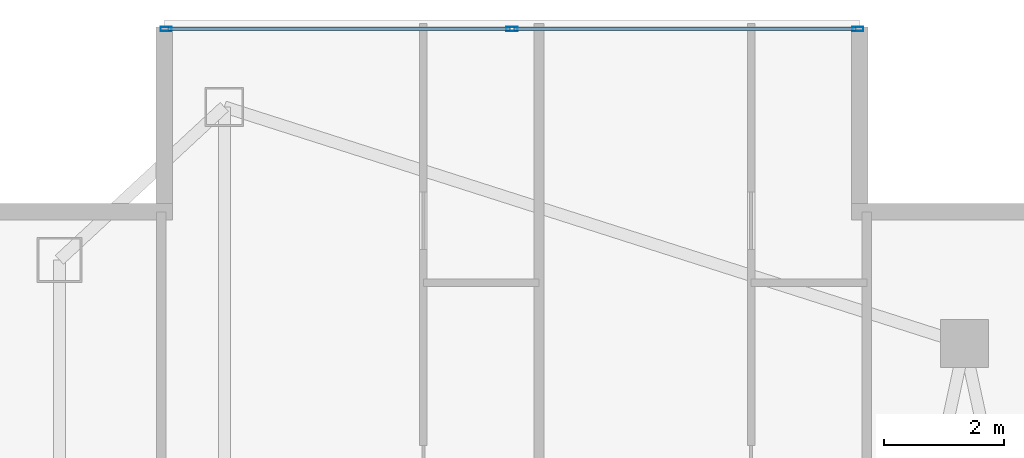
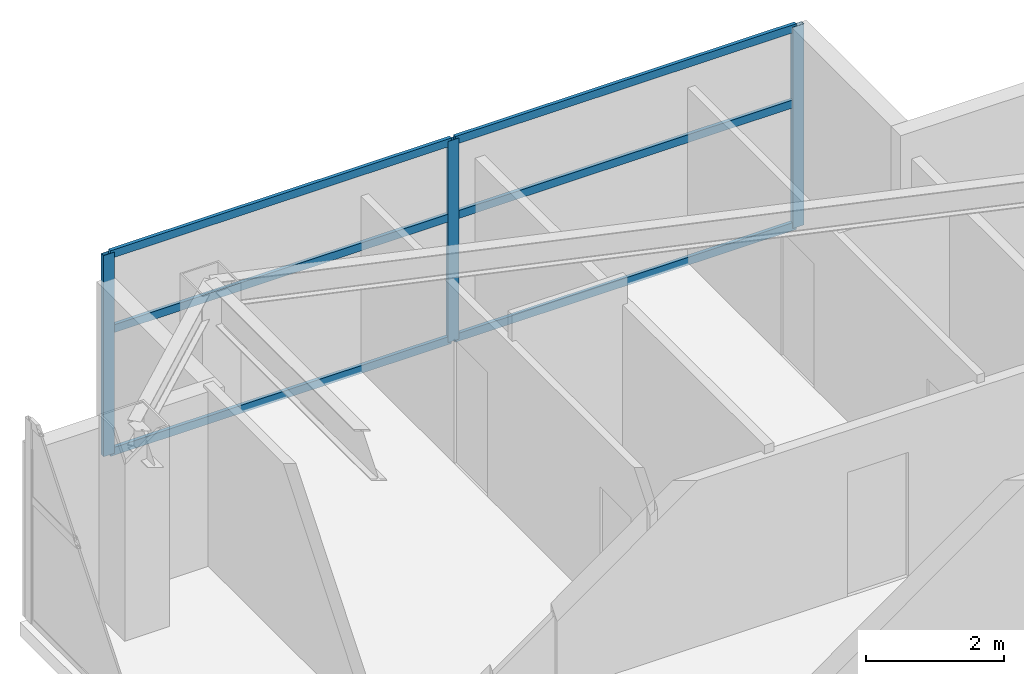
# One storey, part 19 of 27: 9 members, 1 element without a shape of its own.
"""IFC4 building model written with IfcOpenShell, lengths in metres."""

from ifc_helpers import new_model, si_unit, direction, frame, origin, origin_2d, place, context, subcontext, project, spatial, hollow_rectangle, extrude, material, layer, layer_set, material_profile, profile_set, type_object, element, aggregate, save


model = new_model("IFC4")

# Units and contexts
model_context = context("Model", 3, precision=1e-05, world=origin(), true_north=direction((0.0, 1.0)))
body_context = subcontext(model_context, "Body", "Model", "MODEL_VIEW")
ifc_project = project(units=[si_unit("LENGTHUNIT", "METRE"), si_unit("AREAUNIT", "SQUARE_METRE"), si_unit("VOLUMEUNIT", "CUBIC_METRE"), si_unit("PLANEANGLEUNIT", "RADIAN"), si_unit("MASSUNIT", "GRAM", prefix="KILO")], contexts=[model_context])

# Site, building, storey
site_placement = place(None, origin())
site = spatial("IfcSite", under=ifc_project, at=site_placement, CompositionType="ELEMENT")
building_placement = place(site_placement, origin())
building = spatial("IfcBuilding", under=site, at=building_placement, Name="Calvorn Quay Hotel", CompositionType="ELEMENT")
storey_placement = place(building_placement, frame((0.0, 0.0, 223.10009765625)))
storey = spatial("IfcBuildingStorey", under=building, at=storey_placement, Name="L55", CompositionType="ELEMENT", Elevation=223.10009765625)

# Curtain wall, members
ifc_material_1 = material(Name="Champagne Bronze Anodised Aluminium and Low-E Glass", Category="aluminium")
ifc_layer = layer(ifc_material_1, 0.219970703125)
ifc_layer_set = layer_set([ifc_layer], Name="CW-SYS-Z3")
curtain_wall_type = type_object("IfcCurtainWallType", Name="CW-SYS-Z3", PredefinedType="NOTDEFINED", material=ifc_layer_set)
curtain_wall_placement = place(storey_placement, origin())
curtain_wall = element("IfcCurtainWall", 1, at=curtain_wall_placement, inside=storey, type_object=curtain_wall_type, Name="Inner Court Curtain Wall L55-N1", PredefinedType="NOTDEFINED")
ifc_material_2 = material(Name="Champagne Bronze Anodised Aluminium 6063-T6", Category="aluminium")
ifc_material_profile_1 = material_profile(ifc_material_2, hollow_rectangle(XDim=0.068115234375, YDim=0.18505859375, WallThickness=0.00390625, at=origin_2d()), Name="ALU-M185x68x4")
ifc_profile_set_1 = profile_set([ifc_material_profile_1], Name="Champagne Bronze Anodised Aluminium 6063-T6")
member_type_1 = type_object("IfcMemberType", Name="CW-SYS-Z3-MUL", PredefinedType="MULLION", material=ifc_profile_set_1)
member_1_placement = place(storey_placement, frame((14.77001953125, 50.85009765625, 0.0), z_axis=(0.0, 0.0, 1.0), x_axis=(0.0, -1.0, 0.0)))
member_1 = element("IfcMember", 2, at=member_1_placement, type_object=member_type_1, Name="CW-L55-N1 mullion 1", PredefinedType="MULLION", context=body_context, shape_type="SweptSolid", body=[
    extrude(hollow_rectangle(XDim=0.068115234375, YDim=0.18505859375, WallThickness=0.00390625, at=origin_2d()), origin(), (0.0, 0.0, 1.0), 3.559814453125),
])
member_2_placement = place(storey_placement, frame((9.0, 50.85009765625, 0.0), z_axis=(0.0, 0.0, 1.0), x_axis=(0.0, -1.0, 0.0)))
member_2 = element("IfcMember", 3, at=member_2_placement, type_object=member_type_1, Name="CW-L55-N1 mullion 2", PredefinedType="MULLION", context=body_context, shape_type="SweptSolid", body=[
    extrude(hollow_rectangle(XDim=0.068115234375, YDim=0.18505859375, WallThickness=0.00390625, at=origin_2d()), origin(), (0.0, 0.0, 1.0), 3.559814453125),
])
member_3_placement = place(storey_placement, frame((3.22998046875, 50.85009765625, 0.0), z_axis=(0.0, 0.0, 1.0), x_axis=(0.0, -1.0, 0.0)))
member_3 = element("IfcMember", 4, at=member_3_placement, type_object=member_type_1, Name="CW-L55-N1 mullion 3", PredefinedType="MULLION", context=body_context, shape_type="SweptSolid", body=[
    extrude(hollow_rectangle(XDim=0.068115234375, YDim=0.18505859375, WallThickness=0.00390625, at=origin_2d()), origin(), (0.0, 0.0, 1.0), 3.559814453125),
])
ifc_material_3 = material(Name="Champagne Bronze Anodised Aluminium 6063-T6", Category="aluminium")
ifc_material_profile_2 = material_profile(ifc_material_3, hollow_rectangle(XDim=0.05810546875, YDim=0.139892578125, WallThickness=0.003173828125, at=origin_2d()), Name="ALU-T140x58x3.2")
ifc_profile_set_2 = profile_set([ifc_material_profile_2], Name="Champagne Bronze Anodised Aluminium 6063-T6")
member_type_2 = type_object("IfcMemberType", Name="CW-SYS-Z3-TRN", PredefinedType="USERDEFINED", material=ifc_profile_set_2)
member_4_placement = place(storey_placement, frame((14.739990234375, 50.85009765625, 0.02978515625), z_axis=(-1.0, 0.0, 0.0), x_axis=(0.0, -1.0, 0.0)))
member_4 = element("IfcMember", 5, at=member_4_placement, type_object=member_type_2, Name="CW-L55-N1 transom 1.1", ObjectType="TRANSOM", PredefinedType="USERDEFINED", context=body_context, shape_type="SweptSolid", body=[
    extrude(hollow_rectangle(XDim=0.05810546875, YDim=0.139892578125, WallThickness=0.003173828125, at=origin_2d()), origin(), (0.0, 0.0, 1.0), 5.7099609375),
])
member_5_placement = place(storey_placement, frame((14.739990234375, 50.85009765625, 2.199951171875), z_axis=(-1.0, 0.0, 0.0), x_axis=(0.0, -1.0, 0.0)))
member_5 = element("IfcMember", 6, at=member_5_placement, type_object=member_type_2, Name="CW-L55-N1 transom 1.2", ObjectType="TRANSOM", PredefinedType="USERDEFINED", context=body_context, shape_type="SweptSolid", body=[
    extrude(hollow_rectangle(XDim=0.05810546875, YDim=0.139892578125, WallThickness=0.003173828125, at=origin_2d()), origin(), (0.0, 0.0, 1.0), 5.7099609375),
])
member_6_placement = place(storey_placement, frame((14.739990234375, 50.85009765625, 3.52978515625), z_axis=(-1.0, 0.0, 0.0), x_axis=(0.0, -1.0, 0.0)))
member_6 = element("IfcMember", 7, at=member_6_placement, type_object=member_type_2, Name="CW-L55-N1 transom 1.3", ObjectType="TRANSOM", PredefinedType="USERDEFINED", context=body_context, shape_type="SweptSolid", body=[
    extrude(hollow_rectangle(XDim=0.05810546875, YDim=0.139892578125, WallThickness=0.003173828125, at=origin_2d()), origin(), (0.0, 0.0, 1.0), 5.7099609375),
])
member_7_placement = place(storey_placement, frame((8.969970703125, 50.85009765625, 0.02978515625), z_axis=(-1.0, 0.0, 0.0), x_axis=(0.0, -1.0, 0.0)))
member_7 = element("IfcMember", 8, at=member_7_placement, type_object=member_type_2, Name="CW-L55-N1 transom 2.1", ObjectType="TRANSOM", PredefinedType="USERDEFINED", context=body_context, shape_type="SweptSolid", body=[
    extrude(hollow_rectangle(XDim=0.05810546875, YDim=0.139892578125, WallThickness=0.003173828125, at=origin_2d()), origin(), (0.0, 0.0, 1.0), 5.7099609375),
])
member_8_placement = place(storey_placement, frame((8.969970703125, 50.85009765625, 2.199951171875), z_axis=(-1.0, 0.0, 0.0), x_axis=(0.0, -1.0, 0.0)))
member_8 = element("IfcMember", 9, at=member_8_placement, type_object=member_type_2, Name="CW-L55-N1 transom 2.2", ObjectType="TRANSOM", PredefinedType="USERDEFINED", context=body_context, shape_type="SweptSolid", body=[
    extrude(hollow_rectangle(XDim=0.05810546875, YDim=0.139892578125, WallThickness=0.003173828125, at=origin_2d()), origin(), (0.0, 0.0, 1.0), 5.7099609375),
])
member_9_placement = place(storey_placement, frame((8.969970703125, 50.85009765625, 3.52978515625), z_axis=(-1.0, 0.0, 0.0), x_axis=(0.0, -1.0, 0.0)))
member_9 = element("IfcMember", 10, at=member_9_placement, type_object=member_type_2, Name="CW-L55-N1 transom 2.3", ObjectType="TRANSOM", PredefinedType="USERDEFINED", context=body_context, shape_type="SweptSolid", body=[
    extrude(hollow_rectangle(XDim=0.05810546875, YDim=0.139892578125, WallThickness=0.003173828125, at=origin_2d()), origin(), (0.0, 0.0, 1.0), 5.7099609375),
])
aggregate(curtain_wall, [member_1, member_2, member_3, member_4, member_5, member_6, member_7, member_8, member_9])

save(model, "model.ifc")
